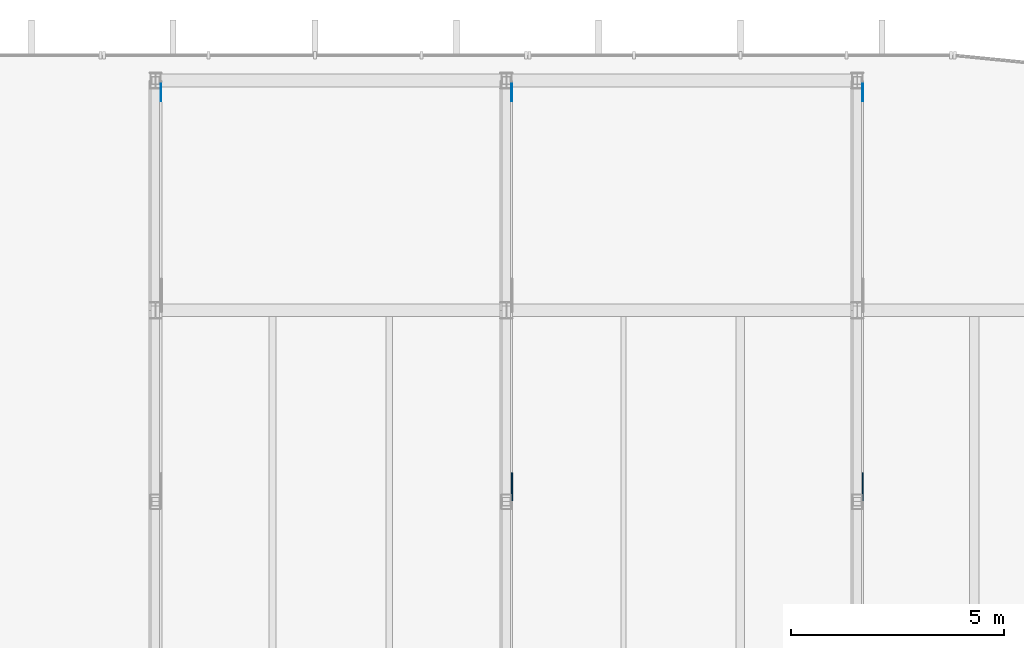
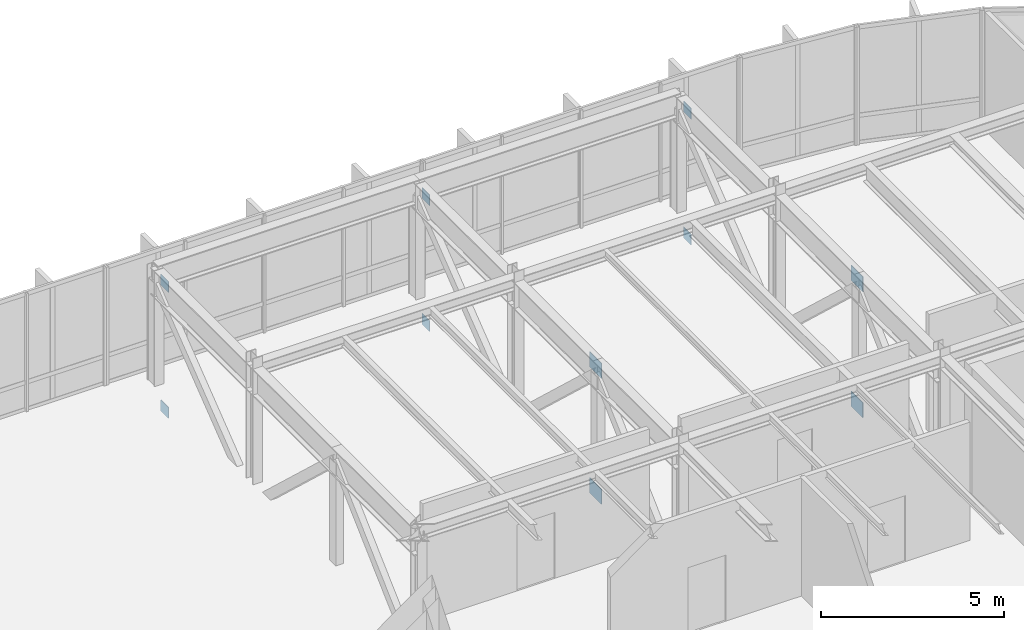
# One storey, part 21 of 29: 10 plates.
"""IFC4 building model written with IfcOpenShell, lengths in metres."""

import ifcopenshell
import ifcopenshell.guid

model = None  # the IFC model being written
_history = None  # IfcOwnerHistory: only IFC2X3 demands one
_inside = {}  # id of a spatial element -> (the spatial element, [elements in it])
_under = {}  # id of a project, library or spatial element -> (it, [spatial elements below it])
_declared = {}  # id of a project -> (the project, [libraries it declares])
_typed = {}  # id of a type object -> (the type object, [elements of that type])
_made_of = {}  # id of a material, layer set ... -> (it, [elements and type objects made of it])


def new_model(schema):
    """Start an empty IFC model of exactly this schema.

    Asked for "IFC4X3", IfcOpenShell would pick the latest addendum, in which some entities
    have other attributes; the version numbers below select the first issue.
    IFC2X3 requires an IfcOwnerHistory on every rooted entity: one is made here for all.
    """
    global model, _history
    if schema == "IFC4X3":
        model = ifcopenshell.file(schema_version=(4, 3, 0, 0))
    else:
        model = ifcopenshell.file(schema=schema)
    _inside.clear()
    _under.clear()
    _declared.clear()
    _typed.clear()
    _made_of.clear()
    _history = None
    if model.schema == "IFC2X3":
        org = make("IfcOrganization", Name="unknown")
        user = make(
            "IfcPersonAndOrganization",
            ThePerson=make("IfcPerson", FamilyName="unknown"),
            TheOrganization=org,
        )
        app = make(
            "IfcApplication",
            ApplicationDeveloper=org,
            Version="unknown",
            ApplicationFullName="unknown",
            ApplicationIdentifier="unknown",
        )
        _history = make(
            "IfcOwnerHistory",
            OwningUser=user,
            OwningApplication=app,
            ChangeAction="ADDED",
            CreationDate=0,
        )
    return model


def make(cls, **values):
    """One entity of the class cls with the attributes given. An attribute that is None is left unset."""
    return model.create_entity(
        cls, **{name: value for name, value in values.items() if value is not None}
    )


def rooted(cls, **values):
    """An entity with a GlobalId (a new one), such as an element, a storey or a relation."""
    return make(cls, GlobalId=ifcopenshell.guid.new(), OwnerHistory=_history, **values)


def si_unit(unit_type, name, prefix=None):
    """IfcSIUnit, for example si_unit("LENGTHUNIT", "METRE", prefix="MILLI")."""
    return make("IfcSIUnit", UnitType=unit_type, Prefix=prefix, Name=name)


def assignment(units):
    """IfcUnitAssignment: the units of a project."""
    return None if units is None else make("IfcUnitAssignment", Units=units)


def point(xyz):
    """IfcCartesianPoint."""
    return None if xyz is None else make("IfcCartesianPoint", Coordinates=xyz)


def direction(xyz):
    """IfcDirection."""
    return None if xyz is None else make("IfcDirection", DirectionRatios=xyz)


def frame(location, z_axis=None, x_axis=None):
    """IfcAxis2Placement3D, a coordinate frame: its origin and axes. An axis left out is left unset."""
    return make(
        "IfcAxis2Placement3D",
        Location=point(location),
        Axis=direction(z_axis),
        RefDirection=direction(x_axis),
    )


def frame_2d(location, x_axis=None):
    """IfcAxis2Placement2D, a coordinate frame in the plane: its origin and x axis."""
    return make(
        "IfcAxis2Placement2D", Location=point(location), RefDirection=direction(x_axis)
    )


def origin():
    """The frame at (0, 0, 0) with its axes left unset."""
    return frame((0.0, 0.0, 0.0))


def origin_2d():
    """The frame at (0, 0) in the plane with its x axis left unset."""
    return frame_2d((0.0, 0.0))


def place(relative_to, where):
    """IfcLocalPlacement: puts the frame where relative to a parent placement (None: the world)."""
    return make(
        "IfcLocalPlacement", PlacementRelTo=relative_to, RelativePlacement=where
    )


def context(
    kind, dimensions, precision=None, world=None, true_north=None, identifier=None
):
    """IfcGeometricRepresentationContext, for example the 3D "Model" context."""
    return make(
        "IfcGeometricRepresentationContext",
        ContextIdentifier=identifier,
        ContextType=kind,
        CoordinateSpaceDimension=dimensions,
        Precision=precision,
        WorldCoordinateSystem=world,
        TrueNorth=true_north,
    )


def subcontext(parent, identifier, kind, view, scale=None):
    """IfcGeometricRepresentationSubContext, for example "Body" below "Model"."""
    return make(
        "IfcGeometricRepresentationSubContext",
        ContextIdentifier=identifier,
        ContextType=kind,
        ParentContext=parent,
        TargetScale=scale,
        TargetView=view,
    )


def project(units=None, contexts=None):
    """IfcProject with its units and contexts."""
    return rooted(
        "IfcProject",
        Name="project",
        RepresentationContexts=contexts,
        UnitsInContext=assignment(units),
    )


def spatial(cls, under=None, at=None, **own):
    """A site, building, storey or space (cls), placed at a placement, below another one or the project."""
    s = rooted(cls, ObjectPlacement=at, **own)
    if under is not None:
        _under.setdefault(under.id(), (under, []))[1].append(s)
    return s


def profile(cls, at=None, kind="AREA", **sizes):
    """A parametric profile (cls). Its sizes go by their IFC names, for example OverallWidth=200.0."""
    return make(cls, ProfileType=kind, Position=at, **sizes)


def rectangle(**sizes):
    """IfcRectangleProfileDef."""
    return profile("IfcRectangleProfileDef", **sizes)


def extrude(swept, where, along, depth):
    """IfcExtrudedAreaSolid: the profile swept, set in the frame where, extruded along a direction by depth."""
    return make(
        "IfcExtrudedAreaSolid",
        SweptArea=swept,
        Position=where,
        ExtrudedDirection=direction(along),
        Depth=depth,
    )


def shape(context_of_items, identifier, shape_type, items):
    """IfcShapeRepresentation: the items that make up one representation, for example the "Body"."""
    return make(
        "IfcShapeRepresentation",
        ContextOfItems=context_of_items,
        RepresentationIdentifier=identifier,
        RepresentationType=shape_type,
        Items=items,
    )


def material(Name=None, Category=None):
    """IfcMaterial."""
    return make("IfcMaterial", Name=Name, Category=Category)


def layer(
    of_material, thickness, ventilated=None, Name=None, Category=None, Priority=None
):
    """IfcMaterialLayer: one layer of a wall or slab, of a material (None: an air gap)."""
    return make(
        "IfcMaterialLayer",
        Material=of_material,
        LayerThickness=thickness,
        IsVentilated=ventilated,
        Name=Name,
        Category=Category,
        Priority=Priority,
    )


def layer_set(layers, Name=None):
    """IfcMaterialLayerSet."""
    return make("IfcMaterialLayerSet", MaterialLayers=layers, LayerSetName=Name)


def made_of(thing, what):
    """Note that an element or type object is made of a material, layer set ...; save() writes the relation."""
    if what is not None:
        _made_of.setdefault(what.id(), (what, []))[1].append(thing)
    return thing


def type_object(cls, material=None, **own):
    """A type object (cls), such as IfcWallType, which elements share."""
    return made_of(rooted(cls, **own), material)


def element(
    cls,
    number,
    at=None,
    inside=None,
    cuts=None,
    type_object=None,
    material=None,
    context=None,
    identifier="Body",
    shape_type=None,
    held_by="IfcProductDefinitionShape",
    body=None,
    shapes=None,
    **own,
):
    """One element of the class cls, such as IfcWall. Its Tag is "e" and its number.

    at: its placement. inside: the storey or other place that contains it. cuts: it is an
    opening in that element (IfcRelVoidsElement). A single representation is given by context,
    identifier, shape_type and body (its items); several are given by shapes. held_by: the class
    of the entity that holds the representations. save() writes the other relations.
    """
    e = rooted(cls, Tag="e%d" % number, ObjectPlacement=at, **own)
    if body is not None:
        shapes = [shape(context, identifier, shape_type, body)]
    if shapes is not None:
        e.Representation = make(held_by, Representations=shapes)
    if inside is not None:
        _inside.setdefault(inside.id(), (inside, []))[1].append(e)
    if cuts is not None:
        rooted(
            "IfcRelVoidsElement", RelatingBuildingElement=cuts, RelatedOpeningElement=e
        )
    if type_object is not None:
        _typed.setdefault(type_object.id(), (type_object, []))[1].append(e)
    return made_of(e, material)


def aggregate(whole, parts):
    """IfcRelAggregates: a whole, such as a stair, and the parts it consists of."""
    return rooted("IfcRelAggregates", RelatingObject=whole, RelatedObjects=parts)


def save(model, path):
    """Write the relations noted so far, then the file.

    IfcRelAggregates (storeys below a building ...), IfcRelContainedInSpatialStructure (elements
    in a storey), IfcRelDefinesByType, IfcRelAssociatesMaterial and IfcRelDeclares: one each for
    every whole, place, type object, material and project.
    """
    for whole, parts in _under.values():
        aggregate(whole, parts)
    for where, things in _inside.values():
        rooted(
            "IfcRelContainedInSpatialStructure",
            RelatedElements=things,
            RelatingStructure=where,
        )
    for kind, things in _typed.values():
        rooted("IfcRelDefinesByType", RelatedObjects=things, RelatingType=kind)
    for what, things in _made_of.values():
        rooted("IfcRelAssociatesMaterial", RelatedObjects=things, RelatingMaterial=what)
    for by, libraries in _declared.values():
        rooted("IfcRelDeclares", RelatingContext=by, RelatedDefinitions=libraries)
    model.write(path)


model = new_model("IFC4")

# Units and contexts
model_context = context("Model", 3, precision=1e-05, world=origin(), true_north=direction((0.0, 1.0)))
body_context = subcontext(model_context, "Body", "Model", "MODEL_VIEW")
ifc_project = project(units=[si_unit("LENGTHUNIT", "METRE"), si_unit("AREAUNIT", "SQUARE_METRE"), si_unit("VOLUMEUNIT", "CUBIC_METRE"), si_unit("PLANEANGLEUNIT", "RADIAN"), si_unit("MASSUNIT", "GRAM", prefix="KILO")], contexts=[model_context])

# Site, building, storey
site_placement = place(None, origin())
site = spatial("IfcSite", under=ifc_project, at=site_placement, CompositionType="ELEMENT")
building_placement = place(site_placement, origin())
building = spatial("IfcBuilding", under=site, at=building_placement, Name="Montealbar Specialist Clinic", CompositionType="ELEMENT")
storey_placement = place(building_placement, frame((0.0, 0.0, 22.199951171875)))
storey = spatial("IfcBuildingStorey", under=building, at=storey_placement, Name="L05", CompositionType="ELEMENT", Elevation=22.199951171875)

# Plates
ifc_material = material(Name="Steel S355", Category="steel")
ifc_layer_1 = layer(ifc_material, 0.02001953125, Name="Steel S355", Category="steel")
ifc_layer_set_1 = layer_set([ifc_layer_1], Name="Steel S355")
plate_type_1 = type_object("IfcPlateType", Name="PL-GUSSET-20", PredefinedType="SHEET", material=ifc_layer_set_1)
for number, where, z_axis, x_axis, name in (
    (1, (74.3798828125, 50.1201171875, -0.97021484375), (0.0, 0.0, 1.0), (0.0, 1.0, 0.0), "Truss node gusset plate GN-TT-N2-3B"),
    (2, (74.3798828125, 50.1201171875, 3.22998046875), (0.0, 0.0, 1.0), (0.0, 1.0, 0.0), "Truss node gusset plate GN-TT-N2-3T"),
    (3, (82.6298828125, 50.1201171875, -0.97021484375), (0.0, 0.0, 1.0), (0.0, 1.0, 0.0), "Truss node gusset plate GN-TT-N3-3B"),
    (4, (82.6298828125, 50.1201171875, 3.22998046875), (0.0, 0.0, 1.0), (0.0, 1.0, 0.0), "Truss node gusset plate GN-TT-N3-3T"),
    (5, (90.8798828125, 50.1201171875, -0.97021484375), (0.0, 0.0, 1.0), (0.0, 1.0, 0.0), "Truss node gusset plate GN-TT-N4-3B"),
    (6, (90.8798828125, 50.1201171875, 3.22998046875), (0.0, 0.0, 1.0), (0.0, 1.0, 0.0), "Truss node gusset plate GN-TT-N4-3T"),
):
    element("IfcPlate", number, at=place(storey_placement, frame(where, z_axis=z_axis, x_axis=x_axis)), inside=storey, type_object=plate_type_1, Name=name, PredefinedType="SHEET", context=body_context, shape_type="SweptSolid", body=[
        extrude(rectangle(XDim=0.419921875, YDim=0.02001953125, at=origin_2d()), origin(), (0.0, 0.0, 1.0), 0.360107421875),
    ])
ifc_layer_2 = layer(ifc_material, 0.02490234375, Name="Steel S355", Category="steel")
ifc_layer_set_2 = layer_set([ifc_layer_2], Name="Steel S355")
plate_type_2 = type_object("IfcPlateType", Name="PL-GUSSET-25", PredefinedType="SHEET", material=ifc_layer_set_2)
for number, where, z_axis, x_axis, name in (
    (7, (82.633056640625, 40.85009765625, -1.0400390625), (0.0, 0.0, 1.0), (0.0, 1.0, 0.0), "Truss node gusset plate GN-TT-N3-1B"),
    (8, (82.633056640625, 40.85009765625, 3.16015625), (0.0, 0.0, 1.0), (0.0, 1.0, 0.0), "Truss node gusset plate GN-TT-N3-1T"),
    (9, (90.883056640625, 40.85009765625, -1.0400390625), (0.0, 0.0, 1.0), (0.0, 1.0, 0.0), "Truss node gusset plate GN-TT-N4-1B"),
    (10, (90.883056640625, 40.85009765625, 3.16015625), (0.0, 0.0, 1.0), (0.0, 1.0, 0.0), "Truss node gusset plate GN-TT-N4-1T"),
):
    element("IfcPlate", number, at=place(storey_placement, frame(where, z_axis=z_axis, x_axis=x_axis)), inside=storey, type_object=plate_type_2, Name=name, PredefinedType="SHEET", context=body_context, shape_type="SweptSolid", body=[
        extrude(rectangle(XDim=0.64990234375, YDim=0.02490234375, at=origin_2d()), origin(), (0.0, 0.0, 1.0), 0.5),
    ])

save(model, "model.ifc")
